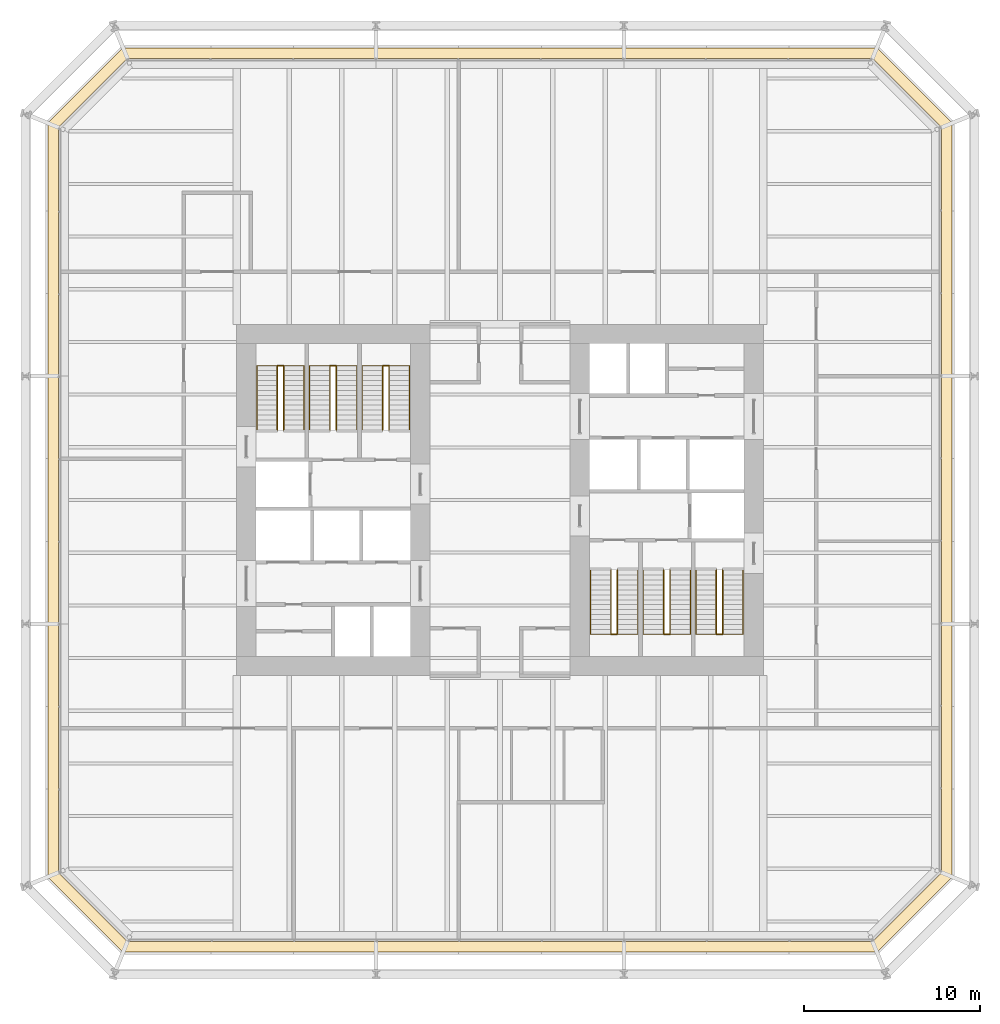
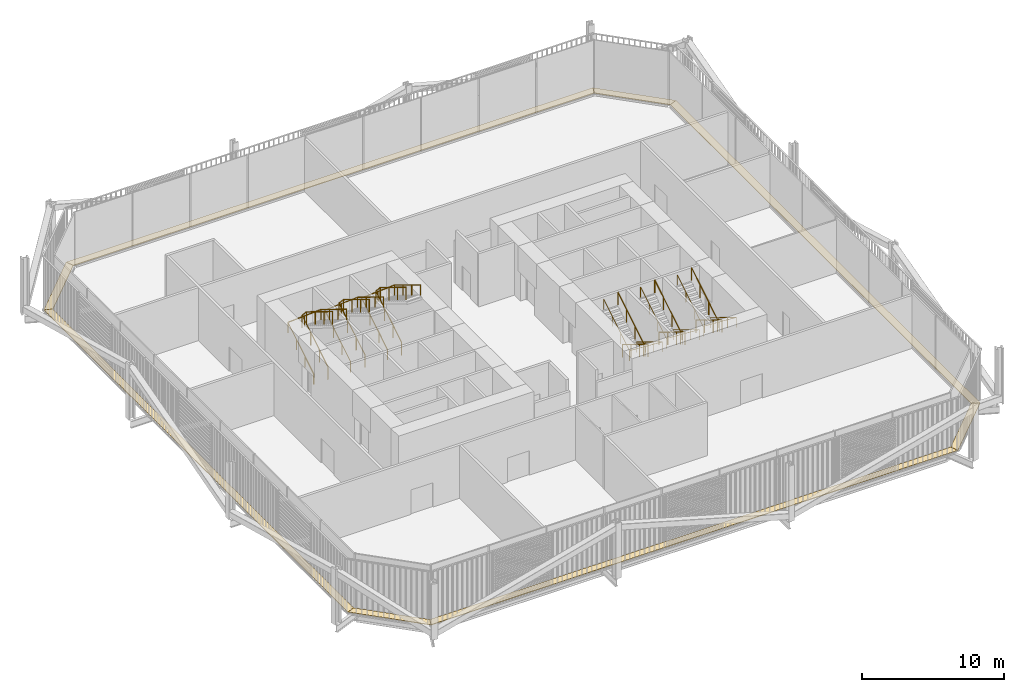
# One storey, part 22 of 22: 12 railings, 8 coverings.
"""IFC4 building model written with IfcOpenShell, lengths in metres."""

from ifc_helpers import new_model, si_unit, direction, frame, origin, origin_2d, place, context, subcontext, project, spatial, polyline, circle, outline, extrude, material, layer, layer_set, type_object, element, save


model = new_model("IFC4")

# Units and contexts
model_context = context("Model", 3, precision=1e-05, world=origin(), true_north=direction((0.0, 1.0)))
body_context = subcontext(model_context, "Body", "Model", "MODEL_VIEW")
ifc_project = project(units=[si_unit("LENGTHUNIT", "METRE"), si_unit("AREAUNIT", "SQUARE_METRE"), si_unit("VOLUMEUNIT", "CUBIC_METRE"), si_unit("PLANEANGLEUNIT", "RADIAN"), si_unit("MASSUNIT", "GRAM", prefix="KILO")], contexts=[model_context])

# Site, building, storey
site_placement = place(None, origin())
site = spatial("IfcSite", under=ifc_project, at=site_placement, CompositionType="ELEMENT")
building_placement = place(site_placement, origin())
building = spatial("IfcBuilding", under=site, at=building_placement, Name="Millrace Tower", CompositionType="ELEMENT")
storey_placement = place(building_placement, frame((0.0, 0.0, 30.5)))
storey = spatial("IfcBuildingStorey", under=building, at=storey_placement, Name="L07", CompositionType="ELEMENT", Elevation=30.5)

# Coverings
ifc_material_1 = material(Name="Steel ASTM A36", Category="steel")
ifc_layer = layer(ifc_material_1, 0.050048828125)
ifc_layer_set = layer_set([ifc_layer], Name="Steel ASTM A36")
covering_type = type_object("IfcCoveringType", Name="CAVITY CATWALK steel grating", PredefinedType="FLOORING", material=ifc_layer_set)
placement = place(storey_placement, frame((0.0, 0.0, 0.10009765625)))
element("IfcCovering", 1, at=placement, inside=storey, type_object=covering_type, Name="Cavity catwalk grating A-F01 L07 1", PredefinedType="FLOORING", context=body_context, shape_type="SweptSolid", body=[
    extrude(outline(polyline([(-25.75, -21.460693359375), (-21.460693359375, -25.75), (-21.212158203125, -25.14990234375), (-25.14990234375, -21.212158203125), (-25.75, -21.460693359375)])), origin(), (0.0, 0.0, 1.0), 0.0498046875),
])
element("IfcCovering", 2, at=placement, inside=storey, type_object=covering_type, Name="Cavity catwalk grating A-F02 L07 1", PredefinedType="FLOORING", context=body_context, shape_type="SweptSolid", body=[
    extrude(outline(polyline([(-21.460693359375, -25.75), (21.460693359375, -25.75), (21.212158203125, -25.14990234375), (-21.212158203125, -25.14990234375), (-21.460693359375, -25.75)])), origin(), (0.0, 0.0, 1.0), 0.0498046875),
])
element("IfcCovering", 3, at=placement, inside=storey, type_object=covering_type, Name="Cavity catwalk grating A-F03 L07 1", PredefinedType="FLOORING", context=body_context, shape_type="SweptSolid", body=[
    extrude(outline(polyline([(21.460693359375, -25.75), (25.75, -21.460693359375), (25.14990234375, -21.212158203125), (21.212158203125, -25.14990234375), (21.460693359375, -25.75)])), origin(), (0.0, 0.0, 1.0), 0.0498046875),
])
element("IfcCovering", 4, at=placement, inside=storey, type_object=covering_type, Name="Cavity catwalk grating A-F04 L07 1", PredefinedType="FLOORING", context=body_context, shape_type="SweptSolid", body=[
    extrude(outline(polyline([(25.75, -21.460693359375), (25.75, 21.460693359375), (25.14990234375, 21.212158203125), (25.14990234375, -21.212158203125), (25.75, -21.460693359375)])), origin(), (0.0, 0.0, 1.0), 0.0498046875),
])
element("IfcCovering", 5, at=placement, inside=storey, type_object=covering_type, Name="Cavity catwalk grating A-F05 L07 1", PredefinedType="FLOORING", context=body_context, shape_type="SweptSolid", body=[
    extrude(outline(polyline([(25.75, 21.460693359375), (21.460693359375, 25.75), (21.212158203125, 25.14990234375), (25.14990234375, 21.212158203125), (25.75, 21.460693359375)])), origin(), (0.0, 0.0, 1.0), 0.0498046875),
])
element("IfcCovering", 6, at=placement, inside=storey, type_object=covering_type, Name="Cavity catwalk grating A-F06 L07 1", PredefinedType="FLOORING", context=body_context, shape_type="SweptSolid", body=[
    extrude(outline(polyline([(21.460693359375, 25.75), (-21.460693359375, 25.75), (-21.212158203125, 25.14990234375), (21.212158203125, 25.14990234375), (21.460693359375, 25.75)])), origin(), (0.0, 0.0, 1.0), 0.0498046875),
])
element("IfcCovering", 7, at=placement, inside=storey, type_object=covering_type, Name="Cavity catwalk grating A-F07 L07 1", PredefinedType="FLOORING", context=body_context, shape_type="SweptSolid", body=[
    extrude(outline(polyline([(-21.460693359375, 25.75), (-25.75, 21.460693359375), (-25.14990234375, 21.212158203125), (-21.212158203125, 25.14990234375), (-21.460693359375, 25.75)])), origin(), (0.0, 0.0, 1.0), 0.0498046875),
])
element("IfcCovering", 8, at=placement, inside=storey, type_object=covering_type, Name="Cavity catwalk grating A-F08 L07 1", PredefinedType="FLOORING", context=body_context, shape_type="SweptSolid", body=[
    extrude(outline(polyline([(-25.75, 21.460693359375), (-25.75, -21.460693359375), (-25.14990234375, -21.212158203125), (-25.14990234375, 21.212158203125), (-25.75, 21.460693359375)])), origin(), (0.0, 0.0, 1.0), 0.0498046875),
])

# Railings
ifc_material_2 = material(Name="Stainless steel ASTM A240 type 316", Category="steel")
railing_type_1 = type_object("IfcRailingType", Name="Stair guard 1100", PredefinedType="GUARDRAIL", material=ifc_material_2)
for number, where, name in (
    (9, (-12.679931640625, 4.0, 0.17138671875), "Stair guard 1 W L07"),
    (10, (-9.679931640625, 4.0, 0.17138671875), "Stair guard 2 W L07"),
    (11, (-6.679931640625, 4.0, 0.17138671875), "Stair guard 3 W L07"),
):
    element("IfcRailing", number, at=place(storey_placement, frame(where)), inside=storey, type_object=railing_type_1, Name=name, PredefinedType="GUARDRAIL", context=body_context, shape_type="SweptSolid", body=[
        extrude(circle(Radius=0.02392578125, at=origin_2d()), frame((0.0, 0.0, 1.076171875), z_axis=(0.0, 0.852850264322, 0.5221555579), x_axis=(-1.0, 0.0, 0.0)), (0.0, 0.0, 1.0), 4.267822265625),
        extrude(circle(Radius=0.02392578125, at=origin_2d()), frame((0.0, 3.639892578125, 3.3046875), z_axis=(0.902837873996, 0.0, 0.429981131306), x_axis=(0.0, 1.0, 0.0)), (0.0, 0.0, 1.0), 0.398681640625),
        extrude(circle(Radius=0.02392578125, at=origin_2d()), frame((0.35986328125, 3.639892578125, 3.47607421875), z_axis=(0.0, -0.852824790078, 0.522197163366), x_axis=(1.0, 0.0, 0.0)), (0.0, 0.0, 1.0), 4.26806640625),
        extrude(circle(Radius=0.02099609375, at=origin_2d()), origin(), (0.0, 0.0, 1.0), 1.052001953125),
        extrude(circle(Radius=0.02099609375, at=origin_2d()), frame((0.0, 1.21337890625, 0.742919921875)), (0.0, 0.0, 1.0), 1.052001953125),
        extrude(circle(Radius=0.02099609375, at=origin_2d()), frame((0.0, 2.426513671875, 1.485595703125)), (0.0, 0.0, 1.0), 1.052001953125),
        extrude(circle(Radius=0.02099609375, at=origin_2d()), frame((0.0, 3.639892578125, 2.228515625)), (0.0, 0.0, 1.0), 1.052001953125),
        extrude(circle(Radius=0.02099609375, at=origin_2d()), frame((0.35986328125, 3.639892578125, 2.39990234375)), (0.0, 0.0, 1.0), 1.052001953125),
        extrude(circle(Radius=0.02099609375, at=origin_2d()), frame((0.35986328125, 2.426513671875, 3.142822265625)), (0.0, 0.0, 1.0), 1.052001953125),
        extrude(circle(Radius=0.02099609375, at=origin_2d()), frame((0.35986328125, 1.21337890625, 3.8857421875)), (0.0, 0.0, 1.0), 1.052001953125),
        extrude(circle(Radius=0.02099609375, at=origin_2d()), frame((0.35986328125, 0.0, 4.628662109375)), (0.0, 0.0, 1.0), 1.052001953125),
    ])
for number, where, name in (
    (12, (12.679931640625, -4.0, 0.17138671875), "Stair guard 1 E L07"),
    (13, (9.679931640625, -4.0, 0.17138671875), "Stair guard 2 E L07"),
    (14, (6.679931640625, -4.0, 0.17138671875), "Stair guard 3 E L07"),
):
    element("IfcRailing", number, at=place(storey_placement, frame(where)), inside=storey, type_object=railing_type_1, Name=name, PredefinedType="GUARDRAIL", context=body_context, shape_type="SweptSolid", body=[
        extrude(circle(Radius=0.02392578125, at=origin_2d()), frame((0.0, 0.0, 1.076171875), z_axis=(0.0, -0.852850264322, 0.5221555579), x_axis=(1.0, 0.0, 0.0)), (0.0, 0.0, 1.0), 4.267822265625),
        extrude(circle(Radius=0.02392578125, at=origin_2d()), frame((0.0, -3.639892578125, 3.3046875), z_axis=(-0.902837873996, 0.0, 0.429981131306), x_axis=(0.0, -1.0, 0.0)), (0.0, 0.0, 1.0), 0.398681640625),
        extrude(circle(Radius=0.02392578125, at=origin_2d()), frame((-0.35986328125, -3.639892578125, 3.47607421875), z_axis=(0.0, 0.852824790078, 0.522197163366), x_axis=(-1.0, 0.0, 0.0)), (0.0, 0.0, 1.0), 4.26806640625),
        extrude(circle(Radius=0.02099609375, at=origin_2d()), origin(), (0.0, 0.0, 1.0), 1.052001953125),
        extrude(circle(Radius=0.02099609375, at=origin_2d()), frame((0.0, -1.21337890625, 0.742919921875)), (0.0, 0.0, 1.0), 1.052001953125),
        extrude(circle(Radius=0.02099609375, at=origin_2d()), frame((0.0, -2.426513671875, 1.485595703125)), (0.0, 0.0, 1.0), 1.052001953125),
        extrude(circle(Radius=0.02099609375, at=origin_2d()), frame((0.0, -3.639892578125, 2.228515625)), (0.0, 0.0, 1.0), 1.052001953125),
        extrude(circle(Radius=0.02099609375, at=origin_2d()), frame((-0.35986328125, -3.639892578125, 2.39990234375)), (0.0, 0.0, 1.0), 1.052001953125),
        extrude(circle(Radius=0.02099609375, at=origin_2d()), frame((-0.35986328125, -2.426513671875, 3.142822265625)), (0.0, 0.0, 1.0), 1.052001953125),
        extrude(circle(Radius=0.02099609375, at=origin_2d()), frame((-0.35986328125, -1.21337890625, 3.8857421875)), (0.0, 0.0, 1.0), 1.052001953125),
        extrude(circle(Radius=0.02099609375, at=origin_2d()), frame((-0.35986328125, 0.0, 4.628662109375)), (0.0, 0.0, 1.0), 1.052001953125),
    ])
ifc_material_3 = material(Name="Stainless steel ASTM A240 type 316", Category="steel")
railing_type_2 = type_object("IfcRailingType", Name="Stair handrail 900", PredefinedType="HANDRAIL", material=ifc_material_3)
railing_1_placement = place(storey_placement, frame((-13.840087890625, 4.0, 0.17138671875)))
element("IfcRailing", 15, at=railing_1_placement, inside=storey, type_object=railing_type_2, Name="Stair handrail 1 W L07", PredefinedType="HANDRAIL", context=body_context, shape_type="SweptSolid", body=[
    extrude(circle(Radius=0.02392578125, at=origin_2d()), frame((0.0, 0.0, 0.8759765625), z_axis=(0.0, 0.852850264322, 0.5221555579), x_axis=(-1.0, 0.0, 0.0)), (0.0, 0.0, 1.0), 4.267822265625),
    extrude(circle(Radius=0.02392578125, at=origin_2d()), frame((0.0, 3.639892578125, 3.1044921875), z_axis=(0.9979616988, 0.0, 0.063815732607), x_axis=(0.0, 1.0, 0.0)), (0.0, 0.0, 1.0), 2.685546875),
    extrude(circle(Radius=0.02392578125, at=origin_2d()), frame((2.68017578125, 3.639892578125, 3.27587890625), z_axis=(0.0, -0.852824790078, 0.522197163366), x_axis=(1.0, 0.0, 0.0)), (0.0, 0.0, 1.0), 4.26806640625),
    extrude(circle(Radius=0.02099609375, at=origin_2d()), origin(), (0.0, 0.0, 1.0), 0.851806640625),
    extrude(circle(Radius=0.02099609375, at=origin_2d()), frame((0.0, 1.21337890625, 0.742919921875)), (0.0, 0.0, 1.0), 0.851806640625),
    extrude(circle(Radius=0.02099609375, at=origin_2d()), frame((0.0, 2.426513671875, 1.485595703125)), (0.0, 0.0, 1.0), 0.851806640625),
    extrude(circle(Radius=0.02099609375, at=origin_2d()), frame((0.0, 3.639892578125, 2.228515625)), (0.0, 0.0, 1.0), 0.851806640625),
    extrude(circle(Radius=0.02099609375, at=origin_2d()), frame((1.340087890625, 3.639892578125, 2.314208984375)), (0.0, 0.0, 1.0), 0.851806640625),
    extrude(circle(Radius=0.02099609375, at=origin_2d()), frame((2.68017578125, 3.639892578125, 2.39990234375)), (0.0, 0.0, 1.0), 0.851806640625),
    extrude(circle(Radius=0.02099609375, at=origin_2d()), frame((2.68017578125, 2.426513671875, 3.142822265625)), (0.0, 0.0, 1.0), 0.851806640625),
    extrude(circle(Radius=0.02099609375, at=origin_2d()), frame((2.68017578125, 1.21337890625, 3.8857421875)), (0.0, 0.0, 1.0), 0.851806640625),
    extrude(circle(Radius=0.02099609375, at=origin_2d()), frame((2.68017578125, 0.0, 4.628662109375)), (0.0, 0.0, 1.0), 0.851806640625),
])
railing_2_placement = place(storey_placement, frame((-10.840087890625, 4.0, 0.17138671875)))
element("IfcRailing", 16, at=railing_2_placement, inside=storey, type_object=railing_type_2, Name="Stair handrail 2 W L07", PredefinedType="HANDRAIL", context=body_context, shape_type="SweptSolid", body=[
    extrude(circle(Radius=0.02392578125, at=origin_2d()), frame((0.0, 0.0, 0.8759765625), z_axis=(0.0, 0.852850264322, 0.5221555579), x_axis=(-1.0, 0.0, 0.0)), (0.0, 0.0, 1.0), 4.267822265625),
    extrude(circle(Radius=0.02392578125, at=origin_2d()), frame((0.0, 3.639892578125, 3.1044921875), z_axis=(0.9979616988, 0.0, 0.063815732607), x_axis=(0.0, 1.0, 0.0)), (0.0, 0.0, 1.0), 2.685546875),
    extrude(circle(Radius=0.02392578125, at=origin_2d()), frame((2.68017578125, 3.639892578125, 3.27587890625), z_axis=(0.0, -0.852824790078, 0.522197163366), x_axis=(1.0, 0.0, 0.0)), (0.0, 0.0, 1.0), 4.26806640625),
    extrude(circle(Radius=0.02099609375, at=origin_2d()), origin(), (0.0, 0.0, 1.0), 0.851806640625),
    extrude(circle(Radius=0.02099609375, at=origin_2d()), frame((0.0, 1.21337890625, 0.742919921875)), (0.0, 0.0, 1.0), 0.851806640625),
    extrude(circle(Radius=0.02099609375, at=origin_2d()), frame((0.0, 2.426513671875, 1.485595703125)), (0.0, 0.0, 1.0), 0.851806640625),
    extrude(circle(Radius=0.02099609375, at=origin_2d()), frame((0.0, 3.639892578125, 2.228515625)), (0.0, 0.0, 1.0), 0.851806640625),
    extrude(circle(Radius=0.02099609375, at=origin_2d()), frame((1.340087890625, 3.639892578125, 2.314208984375)), (0.0, 0.0, 1.0), 0.851806640625),
    extrude(circle(Radius=0.02099609375, at=origin_2d()), frame((2.68017578125, 3.639892578125, 2.39990234375)), (0.0, 0.0, 1.0), 0.851806640625),
    extrude(circle(Radius=0.02099609375, at=origin_2d()), frame((2.68017578125, 2.426513671875, 3.142822265625)), (0.0, 0.0, 1.0), 0.851806640625),
    extrude(circle(Radius=0.02099609375, at=origin_2d()), frame((2.68017578125, 1.21337890625, 3.8857421875)), (0.0, 0.0, 1.0), 0.851806640625),
    extrude(circle(Radius=0.02099609375, at=origin_2d()), frame((2.68017578125, 0.0, 4.628662109375)), (0.0, 0.0, 1.0), 0.851806640625),
])
railing_3_placement = place(storey_placement, frame((-7.840087890625, 4.0, 0.17138671875)))
element("IfcRailing", 17, at=railing_3_placement, inside=storey, type_object=railing_type_2, Name="Stair handrail 3 W L07", PredefinedType="HANDRAIL", context=body_context, shape_type="SweptSolid", body=[
    extrude(circle(Radius=0.02392578125, at=origin_2d()), frame((0.0, 0.0, 0.8759765625), z_axis=(0.0, 0.852850264322, 0.5221555579), x_axis=(-1.0, 0.0, 0.0)), (0.0, 0.0, 1.0), 4.267822265625),
    extrude(circle(Radius=0.02392578125, at=origin_2d()), frame((0.0, 3.639892578125, 3.1044921875), z_axis=(0.9979616988, 0.0, 0.063815732607), x_axis=(0.0, 1.0, 0.0)), (0.0, 0.0, 1.0), 2.685546875),
    extrude(circle(Radius=0.02392578125, at=origin_2d()), frame((2.68017578125, 3.639892578125, 3.27587890625), z_axis=(0.0, -0.852824790078, 0.522197163366), x_axis=(1.0, 0.0, 0.0)), (0.0, 0.0, 1.0), 4.26806640625),
    extrude(circle(Radius=0.02099609375, at=origin_2d()), origin(), (0.0, 0.0, 1.0), 0.851806640625),
    extrude(circle(Radius=0.02099609375, at=origin_2d()), frame((0.0, 1.21337890625, 0.742919921875)), (0.0, 0.0, 1.0), 0.851806640625),
    extrude(circle(Radius=0.02099609375, at=origin_2d()), frame((0.0, 2.426513671875, 1.485595703125)), (0.0, 0.0, 1.0), 0.851806640625),
    extrude(circle(Radius=0.02099609375, at=origin_2d()), frame((0.0, 3.639892578125, 2.228515625)), (0.0, 0.0, 1.0), 0.851806640625),
    extrude(circle(Radius=0.02099609375, at=origin_2d()), frame((1.340087890625, 3.639892578125, 2.314208984375)), (0.0, 0.0, 1.0), 0.851806640625),
    extrude(circle(Radius=0.02099609375, at=origin_2d()), frame((2.68017578125, 3.639892578125, 2.39990234375)), (0.0, 0.0, 1.0), 0.851806640625),
    extrude(circle(Radius=0.02099609375, at=origin_2d()), frame((2.68017578125, 2.426513671875, 3.142822265625)), (0.0, 0.0, 1.0), 0.851806640625),
    extrude(circle(Radius=0.02099609375, at=origin_2d()), frame((2.68017578125, 1.21337890625, 3.8857421875)), (0.0, 0.0, 1.0), 0.851806640625),
    extrude(circle(Radius=0.02099609375, at=origin_2d()), frame((2.68017578125, 0.0, 4.628662109375)), (0.0, 0.0, 1.0), 0.851806640625),
])
railing_4_placement = place(storey_placement, frame((13.840087890625, -4.0, 0.17138671875)))
element("IfcRailing", 18, at=railing_4_placement, inside=storey, type_object=railing_type_2, Name="Stair handrail 1 E L07", PredefinedType="HANDRAIL", context=body_context, shape_type="SweptSolid", body=[
    extrude(circle(Radius=0.02392578125, at=origin_2d()), frame((0.0, 0.0, 0.8759765625), z_axis=(0.0, -0.852850264322, 0.5221555579), x_axis=(1.0, 0.0, 0.0)), (0.0, 0.0, 1.0), 4.267822265625),
    extrude(circle(Radius=0.02392578125, at=origin_2d()), frame((0.0, -3.639892578125, 3.1044921875), z_axis=(-0.9979616988, 0.0, 0.063815732607), x_axis=(0.0, -1.0, 0.0)), (0.0, 0.0, 1.0), 2.685546875),
    extrude(circle(Radius=0.02392578125, at=origin_2d()), frame((-2.68017578125, -3.639892578125, 3.27587890625), z_axis=(0.0, 0.852824790078, 0.522197163366), x_axis=(-1.0, 0.0, 0.0)), (0.0, 0.0, 1.0), 4.26806640625),
    extrude(circle(Radius=0.02099609375, at=origin_2d()), origin(), (0.0, 0.0, 1.0), 0.851806640625),
    extrude(circle(Radius=0.02099609375, at=origin_2d()), frame((0.0, -1.21337890625, 0.742919921875)), (0.0, 0.0, 1.0), 0.851806640625),
    extrude(circle(Radius=0.02099609375, at=origin_2d()), frame((0.0, -2.426513671875, 1.485595703125)), (0.0, 0.0, 1.0), 0.851806640625),
    extrude(circle(Radius=0.02099609375, at=origin_2d()), frame((0.0, -3.639892578125, 2.228515625)), (0.0, 0.0, 1.0), 0.851806640625),
    extrude(circle(Radius=0.02099609375, at=origin_2d()), frame((-1.340087890625, -3.639892578125, 2.314208984375)), (0.0, 0.0, 1.0), 0.851806640625),
    extrude(circle(Radius=0.02099609375, at=origin_2d()), frame((-2.68017578125, -3.639892578125, 2.39990234375)), (0.0, 0.0, 1.0), 0.851806640625),
    extrude(circle(Radius=0.02099609375, at=origin_2d()), frame((-2.68017578125, -2.426513671875, 3.142822265625)), (0.0, 0.0, 1.0), 0.851806640625),
    extrude(circle(Radius=0.02099609375, at=origin_2d()), frame((-2.68017578125, -1.21337890625, 3.8857421875)), (0.0, 0.0, 1.0), 0.851806640625),
    extrude(circle(Radius=0.02099609375, at=origin_2d()), frame((-2.68017578125, 0.0, 4.628662109375)), (0.0, 0.0, 1.0), 0.851806640625),
])
railing_5_placement = place(storey_placement, frame((10.840087890625, -4.0, 0.17138671875)))
element("IfcRailing", 19, at=railing_5_placement, inside=storey, type_object=railing_type_2, Name="Stair handrail 2 E L07", PredefinedType="HANDRAIL", context=body_context, shape_type="SweptSolid", body=[
    extrude(circle(Radius=0.02392578125, at=origin_2d()), frame((0.0, 0.0, 0.8759765625), z_axis=(0.0, -0.852850264322, 0.5221555579), x_axis=(1.0, 0.0, 0.0)), (0.0, 0.0, 1.0), 4.267822265625),
    extrude(circle(Radius=0.02392578125, at=origin_2d()), frame((0.0, -3.639892578125, 3.1044921875), z_axis=(-0.9979616988, 0.0, 0.063815732607), x_axis=(0.0, -1.0, 0.0)), (0.0, 0.0, 1.0), 2.685546875),
    extrude(circle(Radius=0.02392578125, at=origin_2d()), frame((-2.68017578125, -3.639892578125, 3.27587890625), z_axis=(0.0, 0.852824790078, 0.522197163366), x_axis=(-1.0, 0.0, 0.0)), (0.0, 0.0, 1.0), 4.26806640625),
    extrude(circle(Radius=0.02099609375, at=origin_2d()), origin(), (0.0, 0.0, 1.0), 0.851806640625),
    extrude(circle(Radius=0.02099609375, at=origin_2d()), frame((0.0, -1.21337890625, 0.742919921875)), (0.0, 0.0, 1.0), 0.851806640625),
    extrude(circle(Radius=0.02099609375, at=origin_2d()), frame((0.0, -2.426513671875, 1.485595703125)), (0.0, 0.0, 1.0), 0.851806640625),
    extrude(circle(Radius=0.02099609375, at=origin_2d()), frame((0.0, -3.639892578125, 2.228515625)), (0.0, 0.0, 1.0), 0.851806640625),
    extrude(circle(Radius=0.02099609375, at=origin_2d()), frame((-1.340087890625, -3.639892578125, 2.314208984375)), (0.0, 0.0, 1.0), 0.851806640625),
    extrude(circle(Radius=0.02099609375, at=origin_2d()), frame((-2.68017578125, -3.639892578125, 2.39990234375)), (0.0, 0.0, 1.0), 0.851806640625),
    extrude(circle(Radius=0.02099609375, at=origin_2d()), frame((-2.68017578125, -2.426513671875, 3.142822265625)), (0.0, 0.0, 1.0), 0.851806640625),
    extrude(circle(Radius=0.02099609375, at=origin_2d()), frame((-2.68017578125, -1.21337890625, 3.8857421875)), (0.0, 0.0, 1.0), 0.851806640625),
    extrude(circle(Radius=0.02099609375, at=origin_2d()), frame((-2.68017578125, 0.0, 4.628662109375)), (0.0, 0.0, 1.0), 0.851806640625),
])
railing_6_placement = place(storey_placement, frame((7.840087890625, -4.0, 0.17138671875)))
element("IfcRailing", 20, at=railing_6_placement, inside=storey, type_object=railing_type_2, Name="Stair handrail 3 E L07", PredefinedType="HANDRAIL", context=body_context, shape_type="SweptSolid", body=[
    extrude(circle(Radius=0.02392578125, at=origin_2d()), frame((0.0, 0.0, 0.8759765625), z_axis=(0.0, -0.852850264322, 0.5221555579), x_axis=(1.0, 0.0, 0.0)), (0.0, 0.0, 1.0), 4.267822265625),
    extrude(circle(Radius=0.02392578125, at=origin_2d()), frame((0.0, -3.639892578125, 3.1044921875), z_axis=(-0.9979616988, 0.0, 0.063815732607), x_axis=(0.0, -1.0, 0.0)), (0.0, 0.0, 1.0), 2.685546875),
    extrude(circle(Radius=0.02392578125, at=origin_2d()), frame((-2.68017578125, -3.639892578125, 3.27587890625), z_axis=(0.0, 0.852824790078, 0.522197163366), x_axis=(-1.0, 0.0, 0.0)), (0.0, 0.0, 1.0), 4.26806640625),
    extrude(circle(Radius=0.02099609375, at=origin_2d()), origin(), (0.0, 0.0, 1.0), 0.851806640625),
    extrude(circle(Radius=0.02099609375, at=origin_2d()), frame((0.0, -1.21337890625, 0.742919921875)), (0.0, 0.0, 1.0), 0.851806640625),
    extrude(circle(Radius=0.02099609375, at=origin_2d()), frame((0.0, -2.426513671875, 1.485595703125)), (0.0, 0.0, 1.0), 0.851806640625),
    extrude(circle(Radius=0.02099609375, at=origin_2d()), frame((0.0, -3.639892578125, 2.228515625)), (0.0, 0.0, 1.0), 0.851806640625),
    extrude(circle(Radius=0.02099609375, at=origin_2d()), frame((-1.340087890625, -3.639892578125, 2.314208984375)), (0.0, 0.0, 1.0), 0.851806640625),
    extrude(circle(Radius=0.02099609375, at=origin_2d()), frame((-2.68017578125, -3.639892578125, 2.39990234375)), (0.0, 0.0, 1.0), 0.851806640625),
    extrude(circle(Radius=0.02099609375, at=origin_2d()), frame((-2.68017578125, -2.426513671875, 3.142822265625)), (0.0, 0.0, 1.0), 0.851806640625),
    extrude(circle(Radius=0.02099609375, at=origin_2d()), frame((-2.68017578125, -1.21337890625, 3.8857421875)), (0.0, 0.0, 1.0), 0.851806640625),
    extrude(circle(Radius=0.02099609375, at=origin_2d()), frame((-2.68017578125, 0.0, 4.628662109375)), (0.0, 0.0, 1.0), 0.851806640625),
])

save(model, "model.ifc")
